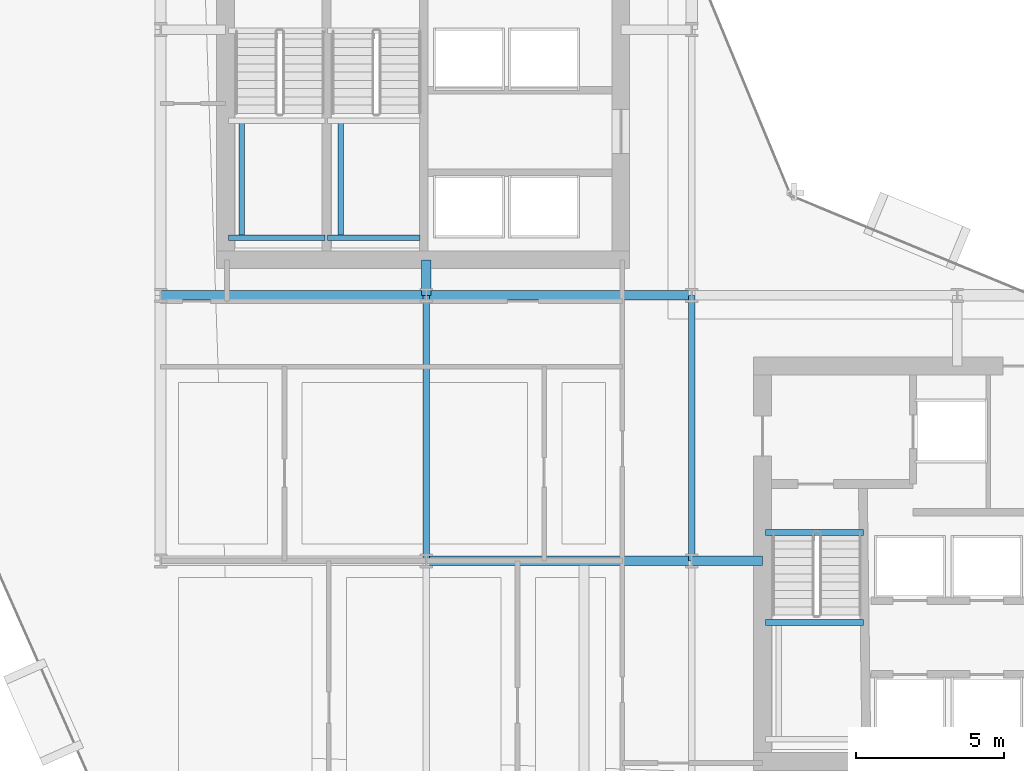
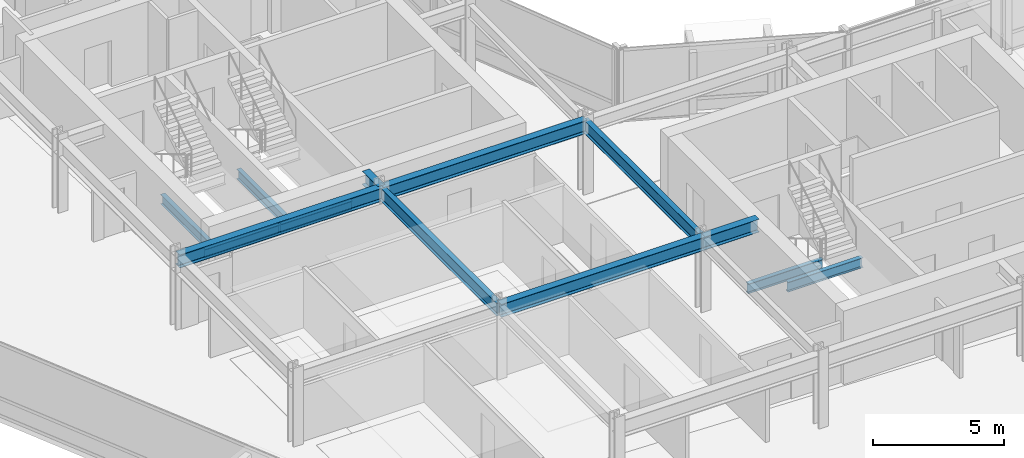
# One storey, part 7 of 34: 13 beams.
"""IFC4 building model written with IfcOpenShell, lengths in metres."""

from ifc_helpers import new_model, si_unit, direction, frame, origin, origin_2d, place, context, subcontext, project, spatial, i_section, extrude, material, material_profile, profile_set, type_object, element, save


model = new_model("IFC4")

# Units and contexts
model_context = context("Model", 3, precision=1e-05, world=origin(), true_north=direction((0.0, 1.0)))
body_context = subcontext(model_context, "Body", "Model", "MODEL_VIEW")
ifc_project = project(units=[si_unit("LENGTHUNIT", "METRE"), si_unit("AREAUNIT", "SQUARE_METRE"), si_unit("VOLUMEUNIT", "CUBIC_METRE"), si_unit("PLANEANGLEUNIT", "RADIAN"), si_unit("MASSUNIT", "GRAM", prefix="KILO")], contexts=[model_context])

# Site, building, storey
site_placement = place(None, origin())
site = spatial("IfcSite", under=ifc_project, at=site_placement, CompositionType="ELEMENT")
building_placement = place(site_placement, origin())
building = spatial("IfcBuilding", under=site, at=building_placement, Name="Solvaryn Broadcast Tower", CompositionType="ELEMENT")
storey_placement = place(building_placement, frame((0.0, 0.0, 76.699951171875)))
storey = spatial("IfcBuildingStorey", under=building, at=storey_placement, Name="L18", CompositionType="ELEMENT", Elevation=76.699951171875)

# Beams
ifc_material_1 = material(Name="Steel ASTM A992 Grade 50", Category="steel")
ifc_material_profile_1 = material_profile(ifc_material_1, i_section(OverallWidth=0.323974609375, OverallDepth=0.611083984375, WebThickness=0.0126953125, FlangeThickness=0.01904296875, FilletRadius=0.014892578125, at=origin_2d()))
ifc_profile_set_1 = profile_set([ifc_material_profile_1], Name="Steel ASTM A992 Grade 50")
beam_type_1 = type_object("IfcBeamType", Name="BM-B1-W24X104", PredefinedType="BEAM", material=ifc_profile_set_1)
for number, where, z_axis, x_axis, name in (
    (1, (18.0, 18.0, 3.114501953125), (1.0, 0.0, 0.0), (0.0, 1.0, 0.0), "L18 Primary Beam X (18-27 @ Y=18)"),
    (2, (9.0, 27.0, 3.114501953125), (1.0, 0.0, 0.0), (0.0, 1.0, 0.0), "L18 Primary Beam X (9-18 @ Y=27)"),
    (3, (18.0, 27.0, 3.114501953125), (1.0, 0.0, 0.0), (0.0, 1.0, 0.0), "L18 Primary Beam X (18-27 @ Y=27)"),
):
    element("IfcBeam", number, at=place(storey_placement, frame(where, z_axis=z_axis, x_axis=x_axis)), inside=storey, type_object=beam_type_1, Name=name, PredefinedType="BEAM", context=body_context, shape_type="SweptSolid", body=[
        extrude(i_section(OverallWidth=0.323974609375, OverallDepth=0.611083984375, WebThickness=0.0126953125, FlangeThickness=0.01904296875, FilletRadius=0.014892578125, at=origin_2d()), origin(), (0.0, 0.0, 1.0), 9.0),
    ])
beam_1_placement = place(storey_placement, frame((18.0, 27.0, 3.114501953125), z_axis=(0.0, 1.0, 0.0), x_axis=(-1.0, 0.0, 0.0)))
element("IfcBeam", 4, at=beam_1_placement, inside=storey, type_object=beam_type_1, Name="L18 Core Tie Beam CTW4", PredefinedType="BEAM", context=body_context, shape_type="SweptSolid", body=[
    extrude(i_section(OverallWidth=0.323974609375, OverallDepth=0.611083984375, WebThickness=0.0126953125, FlangeThickness=0.01904296875, FilletRadius=0.014892578125, at=origin_2d()), origin(), (0.0, 0.0, 1.0), 1.199951171875),
])
beam_2_placement = place(storey_placement, frame((27.0, 18.0, 3.114501953125), z_axis=(1.0, 0.0, 0.0), x_axis=(0.0, 1.0, 0.0)))
element("IfcBeam", 5, at=beam_2_placement, inside=storey, type_object=beam_type_1, Name="L18 Core Tie Beam CTE4", PredefinedType="BEAM", context=body_context, shape_type="SweptSolid", body=[
    extrude(i_section(OverallWidth=0.323974609375, OverallDepth=0.611083984375, WebThickness=0.0126953125, FlangeThickness=0.01904296875, FilletRadius=0.014892578125, at=origin_2d()), origin(), (0.0, 0.0, 1.0), 2.39990234375),
])
ifc_material_2 = material(Name="Steel ASTM A992 Grade 50", Category="steel")
ifc_material_profile_2 = material_profile(ifc_material_2, i_section(OverallWidth=0.22802734375, OverallDepth=0.60791015625, WebThickness=0.01123046875, FlangeThickness=0.017333984375, FilletRadius=0.014892578125, at=origin_2d()))
ifc_profile_set_2 = profile_set([ifc_material_profile_2], Name="Steel ASTM A992 Grade 50")
beam_type_2 = type_object("IfcBeamType", Name="BM-B2-W24X76", PredefinedType="BEAM", material=ifc_profile_set_2)
for number, where, z_axis, x_axis, name in (
    (6, (18.0, 18.0, 3.115966796875), (0.0, 1.0, 0.0), (-1.0, 0.0, 0.0), "L18 Primary Beam Y (18-27 @ X=18)"),
    (7, (27.0, 18.0, 3.115966796875), (0.0, 1.0, 0.0), (-1.0, 0.0, 0.0), "L18 Primary Beam Y (18-27 @ X=27)"),
):
    element("IfcBeam", number, at=place(storey_placement, frame(where, z_axis=z_axis, x_axis=x_axis)), inside=storey, type_object=beam_type_2, Name=name, PredefinedType="BEAM", context=body_context, shape_type="SweptSolid", body=[
        extrude(i_section(OverallWidth=0.22802734375, OverallDepth=0.60791015625, WebThickness=0.01123046875, FlangeThickness=0.017333984375, FilletRadius=0.014892578125, at=origin_2d()), origin(), (0.0, 0.0, 1.0), 9.0),
    ])
ifc_material_3 = material(Name="Steel ASTM A992 Grade 50", Category="steel")
ifc_material_profile_3 = material_profile(ifc_material_3, i_section(OverallWidth=0.18994140625, OverallDepth=0.45703125, WebThickness=0.009033203125, FlangeThickness=0.014404296875, FilletRadius=0.011962890625, at=origin_2d()))
ifc_profile_set_3 = profile_set([ifc_material_profile_3], Name="Steel ASTM A992 Grade 50")
beam_type_3 = type_object("IfcBeamType", Name="BM-B4-W18X50", PredefinedType="BEAM", material=ifc_profile_set_3)
beam_3_placement = place(storey_placement, frame((11.300048828125, 28.949951171875, 1.421630859375), z_axis=(1.0, 0.0, 0.0), x_axis=(0.0, 1.0, 0.0)))
element("IfcBeam", 8, at=beam_3_placement, inside=storey, type_object=beam_type_3, Name="L18 ST1 Landing Support Beam 1A", PredefinedType="BEAM", context=body_context, shape_type="SweptSolid", body=[
    extrude(i_section(OverallWidth=0.18994140625, OverallDepth=0.45703125, WebThickness=0.009033203125, FlangeThickness=0.014404296875, FilletRadius=0.011962890625, at=origin_2d()), origin(), (0.0, 0.0, 1.0), 3.280029296875),
])
beam_4_placement = place(storey_placement, frame((11.75, 28.949951171875, 1.421630859375), z_axis=(0.0, 1.0, 0.0), x_axis=(-1.0, 0.0, 0.0)))
element("IfcBeam", 9, at=beam_4_placement, inside=storey, type_object=beam_type_3, Name="L18 ST1 Landing Cross Stringer 1C", PredefinedType="BEAM", context=body_context, shape_type="SweptSolid", body=[
    extrude(i_section(OverallWidth=0.18994140625, OverallDepth=0.45703125, WebThickness=0.009033203125, FlangeThickness=0.014404296875, FilletRadius=0.011962890625, at=origin_2d()), origin(), (0.0, 0.0, 1.0), 3.9599609375),
])
beam_5_placement = place(storey_placement, frame((14.659912109375, 28.949951171875, 1.421630859375), z_axis=(1.0, 0.0, 0.0), x_axis=(0.0, 1.0, 0.0)))
element("IfcBeam", 10, at=beam_5_placement, inside=storey, type_object=beam_type_3, Name="L18 ST2 Landing Support Beam 1A", PredefinedType="BEAM", context=body_context, shape_type="SweptSolid", body=[
    extrude(i_section(OverallWidth=0.18994140625, OverallDepth=0.45703125, WebThickness=0.009033203125, FlangeThickness=0.014404296875, FilletRadius=0.011962890625, at=origin_2d()), origin(), (0.0, 0.0, 1.0), 3.14013671875),
])
beam_6_placement = place(storey_placement, frame((15.110107421875, 28.949951171875, 1.421630859375), z_axis=(0.0, 1.0, 0.0), x_axis=(-1.0, 0.0, 0.0)))
element("IfcBeam", 11, at=beam_6_placement, inside=storey, type_object=beam_type_3, Name="L18 ST2 Landing Cross Stringer 1C", PredefinedType="BEAM", context=body_context, shape_type="SweptSolid", body=[
    extrude(i_section(OverallWidth=0.18994140625, OverallDepth=0.45703125, WebThickness=0.009033203125, FlangeThickness=0.014404296875, FilletRadius=0.011962890625, at=origin_2d()), origin(), (0.0, 0.0, 1.0), 3.9599609375),
])
for number, where, z_axis, x_axis, name in (
    (12, (29.5, 18.9599609375, -0.508544921875), (1.0, 0.0, 0.0), (0.0, 1.0, 0.0), "L18 ST3 Stair Well Trimmer Beam"),
    (13, (29.5, 15.909912109375, 1.421630859375), (1.0, 0.0, 0.0), (0.0, 1.0, 0.0), "L18 ST3 Landing Support Beam 1B"),
):
    element("IfcBeam", number, at=place(storey_placement, frame(where, z_axis=z_axis, x_axis=x_axis)), inside=storey, type_object=beam_type_3, Name=name, PredefinedType="BEAM", context=body_context, shape_type="SweptSolid", body=[
        extrude(i_section(OverallWidth=0.18994140625, OverallDepth=0.45703125, WebThickness=0.009033203125, FlangeThickness=0.014404296875, FilletRadius=0.011962890625, at=origin_2d()), origin(), (0.0, 0.0, 1.0), 3.320068359375),
    ])

save(model, "model.ifc")
